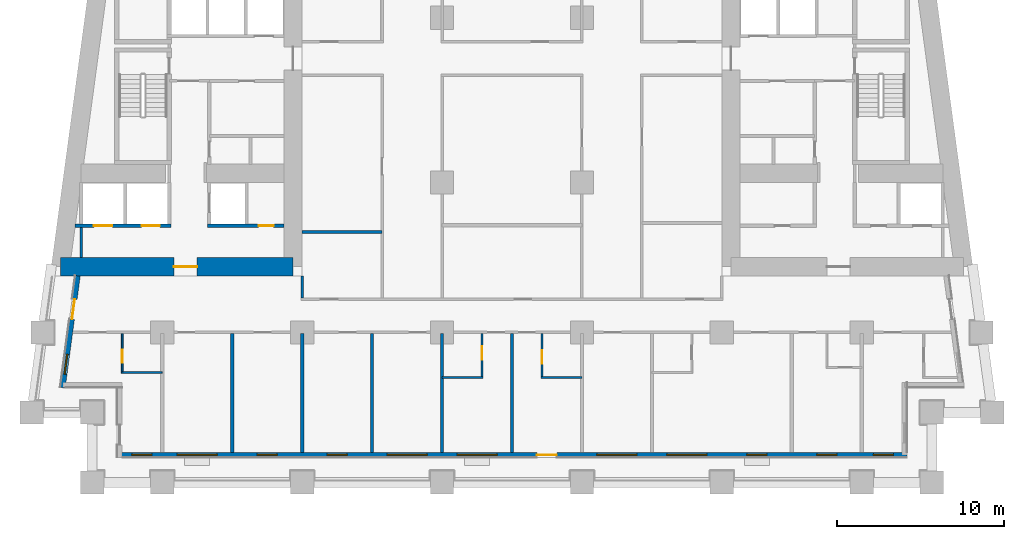
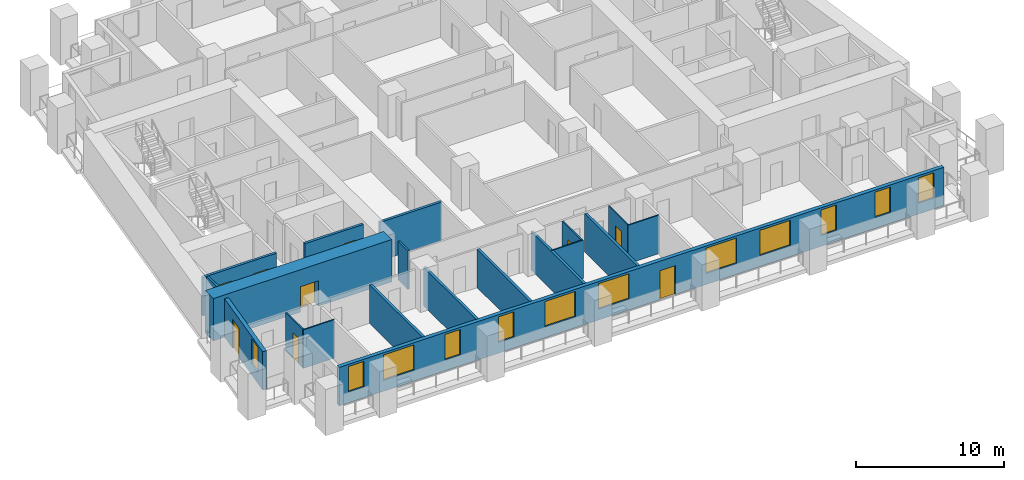
# One storey, part 2 of 12: 19 walls, 12 windows, 9 doors, 21 openings.
"""IFC4 building model written with IfcOpenShell, lengths in metres."""

from ifc_helpers import new_model, si_unit, direction, frame, frame_2d, origin, place, context, subcontext, project, spatial, rectangle, extrude, material, layer, layer_set, type_object, element, fill, save


model = new_model("IFC4")

# Units and contexts
model_context = context("Model", 3, precision=1e-05, world=origin(), true_north=direction((0.0, 1.0)))
body_context = subcontext(model_context, "Body", "Model", "MODEL_VIEW")
ifc_project = project(units=[si_unit("LENGTHUNIT", "METRE"), si_unit("AREAUNIT", "SQUARE_METRE"), si_unit("VOLUMEUNIT", "CUBIC_METRE"), si_unit("PLANEANGLEUNIT", "RADIAN"), si_unit("MASSUNIT", "GRAM", prefix="KILO")], contexts=[model_context])

# Site, building, storey
site_placement = place(None, origin())
site = spatial("IfcSite", under=ifc_project, at=site_placement, CompositionType="ELEMENT")
building_placement = place(site_placement, origin())
building = spatial("IfcBuilding", under=site, at=building_placement, Name="Candeia Pilgrim Tower and Theatre", CompositionType="ELEMENT")
storey_placement = place(building_placement, frame((0.0, 0.0, 39.0)))
storey = spatial("IfcBuildingStorey", under=building, at=storey_placement, Name="L06", CompositionType="ELEMENT", Elevation=39.0)

# Wall, opening, door
ifc_material_1 = material(Name="Concrete C80/95", Category="concrete")
ifc_layer_1 = layer(ifc_material_1, 1.10009765625)
ifc_layer_set_1 = layer_set([ifc_layer_1], Name="Core wall 1100 C80/95")
wall_type_1 = type_object("IfcWallType", Name="Core wall 1100 C80/95", PredefinedType="SHEAR", material=ifc_layer_set_1)
wall_1_placement = place(storey_placement, frame((100.25, 110.949951171875, 0.0), z_axis=(0.0, 0.0, 1.0), x_axis=(-1.0, 0.0, 0.0)))
wall_1 = element("IfcWall", 1, at=wall_1_placement, inside=storey, type_object=wall_type_1, Name="Core wall W3", PredefinedType="SHEAR", context=body_context, shape_type="SweptSolid", body=[
    extrude(rectangle(XDim=13.95166015625, YDim=1.10009765625, at=frame_2d((6.975830078125, 0.0))), origin(), (0.0, 0.0, 1.0), 3.5),
])
opening_1_placement = place(wall_1_placement, frame((5.74755859375, 0.0, 0.0)))
opening_1 = element("IfcOpeningElement", 2, at=opening_1_placement, cuts=wall_1, Name="Opening L06-D053", PredefinedType="OPENING", context=body_context, shape_type="SweptSolid", body=[
    extrude(rectangle(XDim=1.39990234375, YDim=2.10009765625, at=frame_2d((0.699951171875, 1.050048828125))), frame((0.0, 0.56005859375, 0.0), z_axis=(0.0, -1.0, 0.0), x_axis=(1.0, 0.0, 0.0)), (0.0, 0.0, 1.0), 1.1201171875),
])
ifc_material_2 = material(Name="Steel fire door set", Category="steel")
door_type_1 = type_object("IfcDoorType", Name="D-1400-FD60", OperationType="NOTDEFINED", PredefinedType="DOOR", material=ifc_material_2)
door_1_placement = place(opening_1_placement, origin())
door_1 = element("IfcDoor", 3, at=door_1_placement, inside=storey, type_object=door_type_1, Name="Door L06-D053", OperationType="SINGLE_SWING_LEFT", OverallHeight=2.10009765625, OverallWidth=1.39990234375, PredefinedType="DOOR", context=body_context, shape_type="SweptSolid", body=[
    extrude(rectangle(XDim=1.39990234375, YDim=2.10009765625, at=frame_2d((0.699951171875, 1.050048828125))), frame((0.0, 0.02490234375, 0.0), z_axis=(0.0, -1.0, 0.0), x_axis=(1.0, 0.0, 0.0)), (0.0, 0.0, 1.0), 0.050048828125),
])
fill(opening_1, door_1)

# Wall, openings, door, windows
ifc_material_3 = material(Name="Ceramic block masonry", Category="masonry")
ifc_layer_2 = layer(ifc_material_3, 0.300048828125)
ifc_layer_set_2 = layer_set([ifc_layer_2], Name="EW1 glazing-line wall 300")
wall_type_2 = type_object("IfcWallType", Name="EW1 glazing-line wall 300", PredefinedType="SOLIDWALL", material=ifc_layer_set_2)
wall_2_placement = place(storey_placement, frame((89.85009765625, 99.64990234375, 0.0), z_axis=(0.0, 0.0, 1.0), x_axis=(1.0, 0.0, 0.0)))
wall_2 = element("IfcWall", 4, at=wall_2_placement, inside=storey, type_object=wall_type_2, Name="External wall L06-0.0", PredefinedType="SOLIDWALL", context=body_context, shape_type="SweptSolid", body=[
    extrude(rectangle(XDim=47.25, YDim=0.300048828125, at=frame_2d((23.625, 0.0))), origin(), (0.0, 0.0, 1.0), 3.179931640625),
])
opening_2_placement = place(wall_2_placement, frame((0.72509765625, 0.0, 0.89990234375)))
opening_2 = element("IfcOpeningElement", 5, at=opening_2_placement, cuts=wall_2, Name="Opening W-B", PredefinedType="OPENING", context=body_context, shape_type="SweptSolid", body=[
    extrude(rectangle(XDim=1.199951171875, YDim=2.10009765625, at=frame_2d((0.60009765625, 1.050048828125))), frame((0.0, 0.16015625, 0.0), z_axis=(0.0, -1.0, 0.0), x_axis=(1.0, 0.0, 0.0)), (0.0, 0.0, 1.0), 0.320068359375),
])
opening_3_placement = place(wall_2_placement, frame((3.449951171875, 0.0, 0.89990234375)))
opening_3 = element("IfcOpeningElement", 6, at=opening_3_placement, cuts=wall_2, Name="Opening W-A", PredefinedType="OPENING", context=body_context, shape_type="SweptSolid", body=[
    extrude(rectangle(XDim=2.39990234375, YDim=2.10009765625, at=frame_2d((1.199951171875, 1.050048828125))), frame((0.0, 0.16015625, 0.0), z_axis=(0.0, -1.0, 0.0), x_axis=(1.0, 0.0, 0.0)), (0.0, 0.0, 1.0), 0.320068359375),
])
opening_4_placement = place(wall_2_placement, frame((8.25, 0.0, 0.89990234375)))
opening_4 = element("IfcOpeningElement", 7, at=opening_4_placement, cuts=wall_2, Name="Opening W-B", PredefinedType="OPENING", context=body_context, shape_type="SweptSolid", body=[
    extrude(rectangle(XDim=1.199951171875, YDim=2.10009765625, at=frame_2d((0.60009765625, 1.050048828125))), frame((0.0, 0.16015625, 0.0), z_axis=(0.0, -1.0, 0.0), x_axis=(1.0, 0.0, 0.0)), (0.0, 0.0, 1.0), 0.320068359375),
])
opening_5_placement = place(wall_2_placement, frame((12.449951171875, 0.0, 0.89990234375)))
opening_5 = element("IfcOpeningElement", 8, at=opening_5_placement, cuts=wall_2, Name="Opening W-B", PredefinedType="OPENING", context=body_context, shape_type="SweptSolid", body=[
    extrude(rectangle(XDim=1.199951171875, YDim=2.10009765625, at=frame_2d((0.60009765625, 1.050048828125))), frame((0.0, 0.16015625, 0.0), z_axis=(0.0, -1.0, 0.0), x_axis=(1.0, 0.0, 0.0)), (0.0, 0.0, 1.0), 0.320068359375),
])
opening_6_placement = place(wall_2_placement, frame((16.050048828125, 0.0, 0.89990234375)))
opening_6 = element("IfcOpeningElement", 9, at=opening_6_placement, cuts=wall_2, Name="Opening W-A", PredefinedType="OPENING", context=body_context, shape_type="SweptSolid", body=[
    extrude(rectangle(XDim=2.39990234375, YDim=2.10009765625, at=frame_2d((1.199951171875, 1.050048828125))), frame((0.0, 0.16015625, 0.0), z_axis=(0.0, -1.0, 0.0), x_axis=(1.0, 0.0, 0.0)), (0.0, 0.0, 1.0), 0.320068359375),
])
opening_7_placement = place(wall_2_placement, frame((20.25, 0.0, 0.89990234375)))
opening_7 = element("IfcOpeningElement", 10, at=opening_7_placement, cuts=wall_2, Name="Opening W-A", PredefinedType="OPENING", context=body_context, shape_type="SweptSolid", body=[
    extrude(rectangle(XDim=2.39990234375, YDim=2.10009765625, at=frame_2d((1.199951171875, 1.050048828125))), frame((0.0, 0.16015625, 0.0), z_axis=(0.0, -1.0, 0.0), x_axis=(1.0, 0.0, 0.0)), (0.0, 0.0, 1.0), 0.320068359375),
])
opening_8_placement = place(wall_2_placement, frame((25.050048828125, 0.0, 0.0)))
opening_8 = element("IfcOpeningElement", 11, at=opening_8_placement, cuts=wall_2, Name="Opening L06-ED083", PredefinedType="OPENING", context=body_context, shape_type="SweptSolid", body=[
    extrude(rectangle(XDim=1.199951171875, YDim=2.39990234375, at=frame_2d((0.60009765625, 1.199951171875))), frame((0.0, 0.16015625, 0.0), z_axis=(0.0, -1.0, 0.0), x_axis=(1.0, 0.0, 0.0)), (0.0, 0.0, 1.0), 0.320068359375),
])
opening_9_placement = place(wall_2_placement, frame((28.64990234375, 0.0, 0.89990234375)))
opening_9 = element("IfcOpeningElement", 12, at=opening_9_placement, cuts=wall_2, Name="Opening W-A", PredefinedType="OPENING", context=body_context, shape_type="SweptSolid", body=[
    extrude(rectangle(XDim=2.39990234375, YDim=2.10009765625, at=frame_2d((1.199951171875, 1.050048828125))), frame((0.0, 0.16015625, 0.0), z_axis=(0.0, -1.0, 0.0), x_axis=(1.0, 0.0, 0.0)), (0.0, 0.0, 1.0), 0.320068359375),
])
opening_10_placement = place(wall_2_placement, frame((32.85009765625, 0.0, 0.89990234375)))
opening_10 = element("IfcOpeningElement", 13, at=opening_10_placement, cuts=wall_2, Name="Opening W-A", PredefinedType="OPENING", context=body_context, shape_type="SweptSolid", body=[
    extrude(rectangle(XDim=2.39990234375, YDim=2.10009765625, at=frame_2d((1.199951171875, 1.050048828125))), frame((0.0, 0.16015625, 0.0), z_axis=(0.0, -1.0, 0.0), x_axis=(1.0, 0.0, 0.0)), (0.0, 0.0, 1.0), 0.320068359375),
])
opening_11_placement = place(wall_2_placement, frame((37.64990234375, 0.0, 0.89990234375)))
opening_11 = element("IfcOpeningElement", 14, at=opening_11_placement, cuts=wall_2, Name="Opening W-B", PredefinedType="OPENING", context=body_context, shape_type="SweptSolid", body=[
    extrude(rectangle(XDim=1.199951171875, YDim=2.10009765625, at=frame_2d((0.60009765625, 1.050048828125))), frame((0.0, 0.16015625, 0.0), z_axis=(0.0, -1.0, 0.0), x_axis=(1.0, 0.0, 0.0)), (0.0, 0.0, 1.0), 0.320068359375),
])
opening_12_placement = place(wall_2_placement, frame((41.85009765625, 0.0, 0.89990234375)))
opening_12 = element("IfcOpeningElement", 15, at=opening_12_placement, cuts=wall_2, Name="Opening W-B", PredefinedType="OPENING", context=body_context, shape_type="SweptSolid", body=[
    extrude(rectangle(XDim=1.199951171875, YDim=2.10009765625, at=frame_2d((0.60009765625, 1.050048828125))), frame((0.0, 0.16015625, 0.0), z_axis=(0.0, -1.0, 0.0), x_axis=(1.0, 0.0, 0.0)), (0.0, 0.0, 1.0), 0.320068359375),
])
opening_13_placement = place(wall_2_placement, frame((45.25, 0.0, 0.89990234375)))
opening_13 = element("IfcOpeningElement", 16, at=opening_13_placement, cuts=wall_2, Name="Opening W-B", PredefinedType="OPENING", context=body_context, shape_type="SweptSolid", body=[
    extrude(rectangle(XDim=1.199951171875, YDim=2.10009765625, at=frame_2d((0.60009765625, 1.050048828125))), frame((0.0, 0.16015625, 0.0), z_axis=(0.0, -1.0, 0.0), x_axis=(1.0, 0.0, 0.0)), (0.0, 0.0, 1.0), 0.320068359375),
])
ifc_material_4 = material(Name="Aluminium framed glazed door", Category="aluminium")
door_type_2 = type_object("IfcDoorType", Name="Loggia door 1200x2400", OperationType="DOUBLE_DOOR_SINGLE_SWING", PredefinedType="DOOR", material=ifc_material_4)
door_2_placement = place(opening_8_placement, origin())
door_2 = element("IfcDoor", 17, at=door_2_placement, inside=storey, type_object=door_type_2, Name="Loggia door L06-ED083", OperationType="DOUBLE_DOOR_SINGLE_SWING", OverallHeight=2.39990234375, OverallWidth=1.199951171875, PredefinedType="DOOR", context=body_context, shape_type="SweptSolid", body=[
    extrude(rectangle(XDim=1.199951171875, YDim=2.39990234375, at=frame_2d((0.60009765625, 1.199951171875))), frame((0.0, 0.02490234375, 0.0), z_axis=(0.0, -1.0, 0.0), x_axis=(1.0, 0.0, 0.0)), (0.0, 0.0, 1.0), 0.050048828125),
])
fill(opening_8, door_2)
ifc_material_5 = material(Name="Aluminium framed double glazing", Category="aluminium")
window_type_1 = type_object("IfcWindowType", Name="W-A window 2400x2100", PartitioningType="DOUBLE_PANEL_VERTICAL", PredefinedType="WINDOW", material=ifc_material_5)
window_1_placement = place(opening_3_placement, origin())
window_1 = element("IfcWindow", 18, at=window_1_placement, inside=storey, type_object=window_type_1, Name="Window W-A L06", OverallHeight=2.10009765625, OverallWidth=2.39990234375, PartitioningType="SINGLE_PANEL", PredefinedType="WINDOW", context=body_context, shape_type="SweptSolid", body=[
    extrude(rectangle(XDim=2.39990234375, YDim=2.10009765625, at=frame_2d((1.199951171875, 1.050048828125))), frame((0.0, 0.030029296875, 0.0), z_axis=(0.0, -1.0, 0.0), x_axis=(1.0, 0.0, 0.0)), (0.0, 0.0, 1.0), 0.06005859375),
])
fill(opening_3, window_1)
window_2_placement = place(opening_6_placement, origin())
window_2 = element("IfcWindow", 19, at=window_2_placement, inside=storey, type_object=window_type_1, Name="Window W-A L06", OverallHeight=2.10009765625, OverallWidth=2.39990234375, PartitioningType="SINGLE_PANEL", PredefinedType="WINDOW", context=body_context, shape_type="SweptSolid", body=[
    extrude(rectangle(XDim=2.39990234375, YDim=2.10009765625, at=frame_2d((1.199951171875, 1.050048828125))), frame((0.0, 0.030029296875, 0.0), z_axis=(0.0, -1.0, 0.0), x_axis=(1.0, 0.0, 0.0)), (0.0, 0.0, 1.0), 0.06005859375),
])
fill(opening_6, window_2)
window_3_placement = place(opening_7_placement, origin())
window_3 = element("IfcWindow", 20, at=window_3_placement, inside=storey, type_object=window_type_1, Name="Window W-A L06", OverallHeight=2.10009765625, OverallWidth=2.39990234375, PartitioningType="SINGLE_PANEL", PredefinedType="WINDOW", context=body_context, shape_type="SweptSolid", body=[
    extrude(rectangle(XDim=2.39990234375, YDim=2.10009765625, at=frame_2d((1.199951171875, 1.050048828125))), frame((0.0, 0.030029296875, 0.0), z_axis=(0.0, -1.0, 0.0), x_axis=(1.0, 0.0, 0.0)), (0.0, 0.0, 1.0), 0.06005859375),
])
fill(opening_7, window_3)
window_4_placement = place(opening_9_placement, origin())
window_4 = element("IfcWindow", 21, at=window_4_placement, inside=storey, type_object=window_type_1, Name="Window W-A L06", OverallHeight=2.10009765625, OverallWidth=2.39990234375, PartitioningType="SINGLE_PANEL", PredefinedType="WINDOW", context=body_context, shape_type="SweptSolid", body=[
    extrude(rectangle(XDim=2.39990234375, YDim=2.10009765625, at=frame_2d((1.199951171875, 1.050048828125))), frame((0.0, 0.030029296875, 0.0), z_axis=(0.0, -1.0, 0.0), x_axis=(1.0, 0.0, 0.0)), (0.0, 0.0, 1.0), 0.06005859375),
])
fill(opening_9, window_4)
window_5_placement = place(opening_10_placement, origin())
window_5 = element("IfcWindow", 22, at=window_5_placement, inside=storey, type_object=window_type_1, Name="Window W-A L06", OverallHeight=2.10009765625, OverallWidth=2.39990234375, PartitioningType="SINGLE_PANEL", PredefinedType="WINDOW", context=body_context, shape_type="SweptSolid", body=[
    extrude(rectangle(XDim=2.39990234375, YDim=2.10009765625, at=frame_2d((1.199951171875, 1.050048828125))), frame((0.0, 0.030029296875, 0.0), z_axis=(0.0, -1.0, 0.0), x_axis=(1.0, 0.0, 0.0)), (0.0, 0.0, 1.0), 0.06005859375),
])
fill(opening_10, window_5)
window_type_2 = type_object("IfcWindowType", Name="W-B window 1200x2100", PartitioningType="SINGLE_PANEL", PredefinedType="WINDOW", material=ifc_material_5)
window_6_placement = place(opening_2_placement, origin())
window_6 = element("IfcWindow", 23, at=window_6_placement, inside=storey, type_object=window_type_2, Name="Window W-B L06", OverallHeight=2.10009765625, OverallWidth=1.199951171875, PartitioningType="SINGLE_PANEL", PredefinedType="WINDOW", context=body_context, shape_type="SweptSolid", body=[
    extrude(rectangle(XDim=1.199951171875, YDim=2.10009765625, at=frame_2d((0.60009765625, 1.050048828125))), frame((0.0, 0.030029296875, 0.0), z_axis=(0.0, -1.0, 0.0), x_axis=(1.0, 0.0, 0.0)), (0.0, 0.0, 1.0), 0.06005859375),
])
fill(opening_2, window_6)
window_7_placement = place(opening_4_placement, origin())
window_7 = element("IfcWindow", 24, at=window_7_placement, inside=storey, type_object=window_type_2, Name="Window W-B L06", OverallHeight=2.10009765625, OverallWidth=1.199951171875, PartitioningType="SINGLE_PANEL", PredefinedType="WINDOW", context=body_context, shape_type="SweptSolid", body=[
    extrude(rectangle(XDim=1.199951171875, YDim=2.10009765625, at=frame_2d((0.60009765625, 1.050048828125))), frame((0.0, 0.030029296875, 0.0), z_axis=(0.0, -1.0, 0.0), x_axis=(1.0, 0.0, 0.0)), (0.0, 0.0, 1.0), 0.06005859375),
])
fill(opening_4, window_7)
window_8_placement = place(opening_5_placement, origin())
window_8 = element("IfcWindow", 25, at=window_8_placement, inside=storey, type_object=window_type_2, Name="Window W-B L06", OverallHeight=2.10009765625, OverallWidth=1.199951171875, PartitioningType="SINGLE_PANEL", PredefinedType="WINDOW", context=body_context, shape_type="SweptSolid", body=[
    extrude(rectangle(XDim=1.199951171875, YDim=2.10009765625, at=frame_2d((0.60009765625, 1.050048828125))), frame((0.0, 0.030029296875, 0.0), z_axis=(0.0, -1.0, 0.0), x_axis=(1.0, 0.0, 0.0)), (0.0, 0.0, 1.0), 0.06005859375),
])
fill(opening_5, window_8)
window_9_placement = place(opening_11_placement, origin())
window_9 = element("IfcWindow", 26, at=window_9_placement, inside=storey, type_object=window_type_2, Name="Window W-B L06", OverallHeight=2.10009765625, OverallWidth=1.199951171875, PartitioningType="SINGLE_PANEL", PredefinedType="WINDOW", context=body_context, shape_type="SweptSolid", body=[
    extrude(rectangle(XDim=1.199951171875, YDim=2.10009765625, at=frame_2d((0.60009765625, 1.050048828125))), frame((0.0, 0.030029296875, 0.0), z_axis=(0.0, -1.0, 0.0), x_axis=(1.0, 0.0, 0.0)), (0.0, 0.0, 1.0), 0.06005859375),
])
fill(opening_11, window_9)
window_10_placement = place(opening_12_placement, origin())
window_10 = element("IfcWindow", 27, at=window_10_placement, inside=storey, type_object=window_type_2, Name="Window W-B L06", OverallHeight=2.10009765625, OverallWidth=1.199951171875, PartitioningType="SINGLE_PANEL", PredefinedType="WINDOW", context=body_context, shape_type="SweptSolid", body=[
    extrude(rectangle(XDim=1.199951171875, YDim=2.10009765625, at=frame_2d((0.60009765625, 1.050048828125))), frame((0.0, 0.030029296875, 0.0), z_axis=(0.0, -1.0, 0.0), x_axis=(1.0, 0.0, 0.0)), (0.0, 0.0, 1.0), 0.06005859375),
])
fill(opening_12, window_10)
window_11_placement = place(opening_13_placement, origin())
window_11 = element("IfcWindow", 28, at=window_11_placement, inside=storey, type_object=window_type_2, Name="Window W-B L06", OverallHeight=2.10009765625, OverallWidth=1.199951171875, PartitioningType="SINGLE_PANEL", PredefinedType="WINDOW", context=body_context, shape_type="SweptSolid", body=[
    extrude(rectangle(XDim=1.199951171875, YDim=2.10009765625, at=frame_2d((0.60009765625, 1.050048828125))), frame((0.0, 0.030029296875, 0.0), z_axis=(0.0, -1.0, 0.0), x_axis=(1.0, 0.0, 0.0)), (0.0, 0.0, 1.0), 0.06005859375),
])
fill(opening_13, window_11)

# Wall, openings, door, window
wall_3_placement = place(storey_placement, frame((87.334228515625, 110.39990234375, 0.0), z_axis=(0.0, 0.0, 1.0), x_axis=(-0.133437175554, -0.991057273915, 0.0)))
wall_3 = element("IfcWall", 29, at=wall_3_placement, inside=storey, type_object=wall_type_2, Name="External wall L06-9.1", PredefinedType="SOLIDWALL", context=body_context, shape_type="SweptSolid", body=[
    extrude(rectangle(XDim=6.780517578125, YDim=0.300048828125, at=frame_2d((3.39013671875, 0.0))), origin(), (0.0, 0.0, 1.0), 3.179931640625),
])
opening_14_placement = place(wall_3_placement, frame((1.41796875, 0.0, 0.0)))
opening_14 = element("IfcOpeningElement", 30, at=opening_14_placement, cuts=wall_3, Name="Opening L06-ED090", PredefinedType="OPENING", context=body_context, shape_type="SweptSolid", body=[
    extrude(rectangle(XDim=1.199951171875, YDim=2.39990234375, at=frame_2d((0.60009765625, 1.199951171875))), frame((0.0, 0.16015625, 0.0), z_axis=(0.0, -1.0, 0.0), x_axis=(1.0, 0.0, 0.0)), (0.0, 0.0, 1.0), 0.320068359375),
])
opening_15_placement = place(wall_3_placement, frame((4.75830078125, 0.0, 0.89990234375)))
opening_15 = element("IfcOpeningElement", 31, at=opening_15_placement, cuts=wall_3, Name="Opening W-B", PredefinedType="OPENING", context=body_context, shape_type="SweptSolid", body=[
    extrude(rectangle(XDim=1.199951171875, YDim=2.10009765625, at=frame_2d((0.60009765625, 1.050048828125))), frame((0.0, 0.16015625, 0.0), z_axis=(0.0, -1.0, 0.0), x_axis=(1.0, 0.0, 0.0)), (0.0, 0.0, 1.0), 0.320068359375),
])
door_3_placement = place(opening_14_placement, origin())
door_3 = element("IfcDoor", 32, at=door_3_placement, inside=storey, type_object=door_type_2, Name="Loggia door L06-ED090", OperationType="DOUBLE_DOOR_SINGLE_SWING", OverallHeight=2.39990234375, OverallWidth=1.199951171875, PredefinedType="DOOR", context=body_context, shape_type="SweptSolid", body=[
    extrude(rectangle(XDim=1.199951171875, YDim=2.39990234375, at=frame_2d((0.60009765625, 1.199951171875))), frame((0.0, 0.02490234375, 0.0), z_axis=(0.0, -1.0, 0.0), x_axis=(1.0, 0.0, 0.0)), (0.0, 0.0, 1.0), 0.050048828125),
])
fill(opening_14, door_3)
window_12_placement = place(opening_15_placement, origin())
window_12 = element("IfcWindow", 33, at=window_12_placement, inside=storey, type_object=window_type_2, Name="Window W-B L06", OverallHeight=2.10009765625, OverallWidth=1.199951171875, PartitioningType="SINGLE_PANEL", PredefinedType="WINDOW", context=body_context, shape_type="SweptSolid", body=[
    extrude(rectangle(XDim=1.199951171875, YDim=2.10009765625, at=frame_2d((0.60009765625, 1.050048828125))), frame((0.0, 0.030029296875, 0.0), z_axis=(0.0, -1.0, 0.0), x_axis=(1.0, 0.0, 0.0)), (0.0, 0.0, 1.0), 0.06005859375),
])
fill(opening_15, window_12)

# Walls
ifc_material_6 = material(Name="Gypsum board partition on steel studs", Category="steel")
ifc_layer_3 = layer(ifc_material_6, 0.10009765625)
ifc_layer_set_3 = layer_set([ifc_layer_3], Name="PW-100 room partition")
wall_type_3 = type_object("IfcWallType", Name="PW-100 room partition", PredefinedType="PARTITIONING", material=ifc_layer_set_3)
wall_4_placement = place(storey_placement, frame((109.199951171875, 104.300048828125, 0.0), z_axis=(0.0, 0.0, 1.0), x_axis=(1.0, 0.0, 0.0)))
element("IfcWall", 34, at=wall_4_placement, inside=storey, type_object=wall_type_3, Name="Room partition L06-001", PredefinedType="PARTITIONING", context=body_context, shape_type="SweptSolid", body=[
    extrude(rectangle(XDim=2.449951171875, YDim=0.10009765625, at=frame_2d((1.22509765625, 0.0))), origin(), (0.0, 0.0, 1.0), 3.179931640625),
])
wall_5_placement = place(storey_placement, frame((115.14990234375, 104.300048828125, 0.0), z_axis=(0.0, 0.0, 1.0), x_axis=(1.0, 0.0, 0.0)))
element("IfcWall", 35, at=wall_5_placement, inside=storey, type_object=wall_type_3, Name="Room partition L06-002", PredefinedType="PARTITIONING", context=body_context, shape_type="SweptSolid", body=[
    extrude(rectangle(XDim=2.4501953125, YDim=0.10009765625, at=frame_2d((1.22509765625, 0.0))), origin(), (0.0, 0.0, 1.0), 3.179931640625),
])
wall_6_placement = place(storey_placement, frame((89.949951171875, 104.60009765625, 0.0), z_axis=(0.0, 0.0, 1.0), x_axis=(1.0, 0.0, 0.0)))
element("IfcWall", 36, at=wall_6_placement, inside=storey, type_object=wall_type_3, Name="Room partition L06-004", PredefinedType="PARTITIONING", context=body_context, shape_type="SweptSolid", body=[
    extrude(rectangle(XDim=2.449951171875, YDim=0.10009765625, at=frame_2d((1.22509765625, 0.0))), origin(), (0.0, 0.0, 1.0), 3.179931640625),
])

# Wall, opening, door
wall_7_placement = place(storey_placement, frame((90.0, 104.64990234375, 0.0), z_axis=(0.0, 0.0, 1.0), x_axis=(0.0, 1.0, 0.0)))
wall_7 = element("IfcWall", 37, at=wall_7_placement, inside=storey, type_object=wall_type_3, Name="Room partition L06-054", PredefinedType="PARTITIONING", context=body_context, shape_type="SweptSolid", body=[
    extrude(rectangle(XDim=2.275146484375, YDim=0.10009765625, at=frame_2d((1.1376953125, 0.0))), origin(), (0.0, 0.0, 1.0), 3.179931640625),
])
opening_16_placement = place(wall_7_placement, frame((0.52490234375, 0.0, 0.0)))
opening_16 = element("IfcOpeningElement", 38, at=opening_16_placement, cuts=wall_7, Name="Opening L06-D015", PredefinedType="OPENING", context=body_context, shape_type="SweptSolid", body=[
    extrude(rectangle(XDim=0.800048828125, YDim=2.10009765625, at=frame_2d((0.39990234375, 1.050048828125))), frame((0.0, 0.06005859375, 0.0), z_axis=(0.0, -1.0, 0.0), x_axis=(1.0, 0.0, 0.0)), (0.0, 0.0, 1.0), 0.1201171875),
])
ifc_material_7 = material(Name="Timber door leaf", Category="wood")
door_type_3 = type_object("IfcDoorType", Name="D-800", OperationType="NOTDEFINED", PredefinedType="DOOR", material=ifc_material_7)
door_4_placement = place(opening_16_placement, origin())
door_4 = element("IfcDoor", 39, at=door_4_placement, inside=storey, type_object=door_type_3, Name="Door L06-D015", OperationType="SINGLE_SWING_LEFT", OverallHeight=2.10009765625, OverallWidth=0.800048828125, PredefinedType="DOOR", context=body_context, shape_type="SweptSolid", body=[
    extrude(rectangle(XDim=0.800048828125, YDim=2.10009765625, at=frame_2d((0.39990234375, 1.050048828125))), frame((0.0, 0.02490234375, 0.0), z_axis=(0.0, -1.0, 0.0), x_axis=(1.0, 0.0, 0.0)), (0.0, 0.0, 1.0), 0.050048828125),
])
fill(opening_16, door_4)

wall_8_placement = place(storey_placement, frame((111.60009765625, 104.35009765625, 0.0), z_axis=(0.0, 0.0, 1.0), x_axis=(0.0, 1.0, 0.0)))
wall_8 = element("IfcWall", 40, at=wall_8_placement, inside=storey, type_object=wall_type_3, Name="Room partition L06-084", PredefinedType="PARTITIONING", context=body_context, shape_type="SweptSolid", body=[
    extrude(rectangle(XDim=2.574951171875, YDim=0.10009765625, at=frame_2d((1.28759765625, 0.0))), origin(), (0.0, 0.0, 1.0), 3.179931640625),
])
opening_17_placement = place(wall_8_placement, frame((1.02001953125, 0.0, 0.0)))
opening_17 = element("IfcOpeningElement", 41, at=opening_17_placement, cuts=wall_8, Name="Opening L06-D021", PredefinedType="OPENING", context=body_context, shape_type="SweptSolid", body=[
    extrude(rectangle(XDim=0.800048828125, YDim=2.10009765625, at=frame_2d((0.39990234375, 1.050048828125))), frame((0.0, 0.06005859375, 0.0), z_axis=(0.0, -1.0, 0.0), x_axis=(1.0, 0.0, 0.0)), (0.0, 0.0, 1.0), 0.1201171875),
])
door_5_placement = place(opening_17_placement, origin())
door_5 = element("IfcDoor", 42, at=door_5_placement, inside=storey, type_object=door_type_3, Name="Door L06-D021", OperationType="SINGLE_SWING_LEFT", OverallHeight=2.10009765625, OverallWidth=0.800048828125, PredefinedType="DOOR", context=body_context, shape_type="SweptSolid", body=[
    extrude(rectangle(XDim=0.800048828125, YDim=2.10009765625, at=frame_2d((0.39990234375, 1.050048828125))), frame((0.0, 0.02490234375, 0.0), z_axis=(0.0, -1.0, 0.0), x_axis=(1.0, 0.0, 0.0)), (0.0, 0.0, 1.0), 0.050048828125),
])
fill(opening_17, door_5)

wall_9_placement = place(storey_placement, frame((115.199951171875, 104.35009765625, 0.0), z_axis=(0.0, 0.0, 1.0), x_axis=(0.0, 1.0, 0.0)))
wall_9 = element("IfcWall", 43, at=wall_9_placement, inside=storey, type_object=wall_type_3, Name="Room partition L06-087", PredefinedType="PARTITIONING", context=body_context, shape_type="SweptSolid", body=[
    extrude(rectangle(XDim=2.574951171875, YDim=0.10009765625, at=frame_2d((1.28759765625, 0.0))), origin(), (0.0, 0.0, 1.0), 3.179931640625),
])
opening_18_placement = place(wall_9_placement, frame((0.780029296875, 0.0, 0.0)))
opening_18 = element("IfcOpeningElement", 44, at=opening_18_placement, cuts=wall_9, Name="Opening L06-D023", PredefinedType="OPENING", context=body_context, shape_type="SweptSolid", body=[
    extrude(rectangle(XDim=0.800048828125, YDim=2.10009765625, at=frame_2d((0.39990234375, 1.050048828125))), frame((0.0, 0.06005859375, 0.0), z_axis=(0.0, -1.0, 0.0), x_axis=(1.0, 0.0, 0.0)), (0.0, 0.0, 1.0), 0.1201171875),
])
door_6_placement = place(opening_18_placement, origin())
door_6 = element("IfcDoor", 45, at=door_6_placement, inside=storey, type_object=door_type_3, Name="Door L06-D023", OperationType="SINGLE_SWING_LEFT", OverallHeight=2.10009765625, OverallWidth=0.800048828125, PredefinedType="DOOR", context=body_context, shape_type="SweptSolid", body=[
    extrude(rectangle(XDim=0.800048828125, YDim=2.10009765625, at=frame_2d((0.39990234375, 1.050048828125))), frame((0.0, 0.02490234375, 0.0), z_axis=(0.0, -1.0, 0.0), x_axis=(1.0, 0.0, 0.0)), (0.0, 0.0, 1.0), 0.050048828125),
])
fill(opening_18, door_6)

# Walls
ifc_layer_4 = layer(ifc_material_6, 0.14990234375)
ifc_layer_set_4 = layer_set([ifc_layer_4], Name="PW-150 lobby wall")
wall_type_4 = type_object("IfcWallType", Name="PW-150 lobby wall", PredefinedType="PARTITIONING", material=ifc_layer_set_4)
wall_10_placement = place(storey_placement, frame((87.530029296875, 111.5, 0.0), z_axis=(0.0, 0.0, 1.0), x_axis=(0.0, 1.0, 0.0)))
element("IfcWall", 46, at=wall_10_placement, inside=storey, type_object=wall_type_4, Name="Lobby wall L06-051", PredefinedType="PARTITIONING", context=body_context, shape_type="SweptSolid", body=[
    extrude(rectangle(XDim=1.800048828125, YDim=0.14990234375, at=frame_2d((0.89990234375, 0.0))), origin(), (0.0, 0.0, 1.0), 3.179931640625),
])
ifc_layer_5 = layer(ifc_material_6, 0.14990234375)
ifc_layer_set_5 = layer_set([ifc_layer_5], Name="PW-150 unit wall")
wall_type_5 = type_object("IfcWallType", Name="PW-150 unit wall", PredefinedType="PARTITIONING", material=ifc_layer_set_5)
wall_11_placement = place(storey_placement, frame((100.800048828125, 109.074951171875, 0.0), z_axis=(0.0, 0.0, 1.0), x_axis=(0.0, 1.0, 0.0)))
element("IfcWall", 47, at=wall_11_placement, inside=storey, type_object=wall_type_5, Name="Unit wall L06-074", PredefinedType="PARTITIONING", context=body_context, shape_type="SweptSolid", body=[
    extrude(rectangle(XDim=1.324951171875, YDim=0.14990234375, at=frame_2d((0.66259765625, 0.0))), origin(), (0.0, 0.0, 1.0), 3.179931640625),
])
ifc_layer_6 = layer(ifc_material_6, 0.199951171875)
ifc_layer_set_6 = layer_set([ifc_layer_6], Name="PW-200 party wall")
wall_type_6 = type_object("IfcWallType", Name="PW-200 party wall", PredefinedType="PARTITIONING", material=ifc_layer_set_6)
wall_12_placement = place(storey_placement, frame((100.800048828125, 113.034912109375, 0.0), z_axis=(0.0, 0.0, 1.0), x_axis=(1.0, 0.0, 0.0)))
element("IfcWall", 48, at=wall_12_placement, inside=storey, type_object=wall_type_6, Name="Party wall L06-009", PredefinedType="PARTITIONING", context=body_context, shape_type="SweptSolid", body=[
    extrude(rectangle(XDim=4.800048828125, YDim=0.199951171875, at=frame_2d((2.39990234375, 0.0))), origin(), (0.0, 0.0, 1.0), 3.179931640625),
])
for number, where, z_axis, x_axis, name in (
    (49, (96.60009765625, 99.7900390625, 0.0), (0.0, 0.0, 1.0), (0.0, 1.0, 0.0), "Party wall L06-067"),
    (50, (100.800048828125, 99.7900390625, 0.0), (0.0, 0.0, 1.0), (0.0, 1.0, 0.0), "Party wall L06-072"),
    (51, (105.0, 99.7900390625, 0.0), (0.0, 0.0, 1.0), (0.0, 1.0, 0.0), "Party wall L06-076"),
    (52, (109.199951171875, 99.7900390625, 0.0), (0.0, 0.0, 1.0), (0.0, 1.0, 0.0), "Party wall L06-080"),
    (53, (113.39990234375, 99.7900390625, 0.0), (0.0, 0.0, 1.0), (0.0, 1.0, 0.0), "Party wall L06-085"),
):
    element("IfcWall", number, at=place(storey_placement, frame(where, z_axis=z_axis, x_axis=x_axis)), inside=storey, type_object=wall_type_6, Name=name, PredefinedType="PARTITIONING", context=body_context, shape_type="SweptSolid", body=[
        extrude(rectangle(XDim=7.135009765625, YDim=0.199951171875, at=frame_2d((3.5673828125, 0.0))), origin(), (0.0, 0.0, 1.0), 3.179931640625),
    ])

# Wall, openings, doors
ifc_material_8 = material(Name="Concrete C40/50", Category="concrete")
ifc_layer_7 = layer(ifc_material_8, 0.199951171875)
ifc_layer_set_7 = layer_set([ifc_layer_7], Name="SW-200 shaft wall")
wall_type_7 = type_object("IfcWallType", Name="SW-200 shaft wall", PredefinedType="PARTITIONING", material=ifc_layer_set_7)
wall_13_placement = place(storey_placement, frame((87.153076171875, 113.39990234375, 0.0), z_axis=(0.0, 0.0, 1.0), x_axis=(1.0, 0.0, 0.0)))
wall_13 = element("IfcWall", 54, at=wall_13_placement, inside=storey, type_object=wall_type_7, Name="Shaft wall L06-010", PredefinedType="PARTITIONING", context=body_context, shape_type="SweptSolid", body=[
    extrude(rectangle(XDim=5.77392578125, YDim=0.199951171875, at=frame_2d((2.886962890625, 0.0))), origin(), (0.0, 0.0, 1.0), 3.179931640625),
])
opening_19_placement = place(wall_13_placement, frame((1.15087890625, 0.0, 0.0)))
opening_19 = element("IfcOpeningElement", 55, at=opening_19_placement, cuts=wall_13, Name="Opening L06-LD03", PredefinedType="OPENING", context=body_context, shape_type="SweptSolid", body=[
    extrude(rectangle(XDim=1.10009765625, YDim=2.10009765625, at=frame_2d((0.550048828125, 1.050048828125))), frame((0.0, 0.10986328125, 0.0), z_axis=(0.0, -1.0, 0.0), x_axis=(1.0, 0.0, 0.0)), (0.0, 0.0, 1.0), 0.219970703125),
])
opening_20_placement = place(wall_13_placement, frame((4.011962890625, 0.0, 0.0)))
opening_20 = element("IfcOpeningElement", 56, at=opening_20_placement, cuts=wall_13, Name="Opening L06-LD04", PredefinedType="OPENING", context=body_context, shape_type="SweptSolid", body=[
    extrude(rectangle(XDim=1.10009765625, YDim=2.10009765625, at=frame_2d((0.550048828125, 1.050048828125))), frame((0.0, 0.10986328125, 0.0), z_axis=(0.0, -1.0, 0.0), x_axis=(1.0, 0.0, 0.0)), (0.0, 0.0, 1.0), 0.219970703125),
])
ifc_material_9 = material(Name="Glazed aluminium landing door", Category="aluminium")
door_type_4 = type_object("IfcDoorType", Name="LD-1100-EI120", OperationType="SLIDING_TO_LEFT", PredefinedType="DOOR", material=ifc_material_9)
door_7_placement = place(opening_19_placement, origin())
door_7 = element("IfcDoor", 57, at=door_7_placement, inside=storey, type_object=door_type_4, Name="Landing door 03 L06", OperationType="SLIDING_TO_LEFT", OverallHeight=2.10009765625, OverallWidth=1.10009765625, PredefinedType="DOOR", context=body_context, shape_type="SweptSolid", body=[
    extrude(rectangle(XDim=1.10009765625, YDim=2.10009765625, at=frame_2d((0.550048828125, 1.050048828125))), frame((0.0, 0.02490234375, 0.0), z_axis=(0.0, -1.0, 0.0), x_axis=(1.0, 0.0, 0.0)), (0.0, 0.0, 1.0), 0.050048828125),
])
fill(opening_19, door_7)
door_8_placement = place(opening_20_placement, origin())
door_8 = element("IfcDoor", 58, at=door_8_placement, inside=storey, type_object=door_type_4, Name="Landing door 04 L06", OperationType="SLIDING_TO_LEFT", OverallHeight=2.10009765625, OverallWidth=1.10009765625, PredefinedType="DOOR", context=body_context, shape_type="SweptSolid", body=[
    extrude(rectangle(XDim=1.10009765625, YDim=2.10009765625, at=frame_2d((0.550048828125, 1.050048828125))), frame((0.0, 0.02490234375, 0.0), z_axis=(0.0, -1.0, 0.0), x_axis=(1.0, 0.0, 0.0)), (0.0, 0.0, 1.0), 0.050048828125),
])
fill(opening_20, door_8)

# Wall, opening, door
wall_14_placement = place(storey_placement, frame((95.126953125, 113.39990234375, 0.0), z_axis=(0.0, 0.0, 1.0), x_axis=(1.0, 0.0, 0.0)))
wall_14 = element("IfcWall", 59, at=wall_14_placement, inside=storey, type_object=wall_type_7, Name="Shaft wall L06-011", PredefinedType="PARTITIONING", context=body_context, shape_type="SweptSolid", body=[
    extrude(rectangle(XDim=4.572998046875, YDim=0.199951171875, at=frame_2d((2.28662109375, 0.0))), origin(), (0.0, 0.0, 1.0), 3.179931640625),
])
opening_21_placement = place(wall_14_placement, frame((3.068115234375, 0.0, 0.0)))
opening_21 = element("IfcOpeningElement", 60, at=opening_21_placement, cuts=wall_14, Name="Opening L06-D006", PredefinedType="OPENING", context=body_context, shape_type="SweptSolid", body=[
    extrude(rectangle(XDim=0.89990234375, YDim=2.10009765625, at=frame_2d((0.449951171875, 1.050048828125))), frame((0.0, 0.10986328125, 0.0), z_axis=(0.0, -1.0, 0.0), x_axis=(1.0, 0.0, 0.0)), (0.0, 0.0, 1.0), 0.219970703125),
])
door_type_5 = type_object("IfcDoorType", Name="D-900-FD60", OperationType="NOTDEFINED", PredefinedType="DOOR", material=ifc_material_2)
door_9_placement = place(opening_21_placement, origin())
door_9 = element("IfcDoor", 61, at=door_9_placement, inside=storey, type_object=door_type_5, Name="Door L06-D006", OperationType="SINGLE_SWING_LEFT", OverallHeight=2.10009765625, OverallWidth=0.89990234375, PredefinedType="DOOR", context=body_context, shape_type="SweptSolid", body=[
    extrude(rectangle(XDim=0.89990234375, YDim=2.10009765625, at=frame_2d((0.449951171875, 1.050048828125))), frame((0.0, 0.02490234375, 0.0), z_axis=(0.0, -1.0, 0.0), x_axis=(1.0, 0.0, 0.0)), (0.0, 0.0, 1.0), 0.050048828125),
])
fill(opening_21, door_9)

save(model, "model.ifc")
